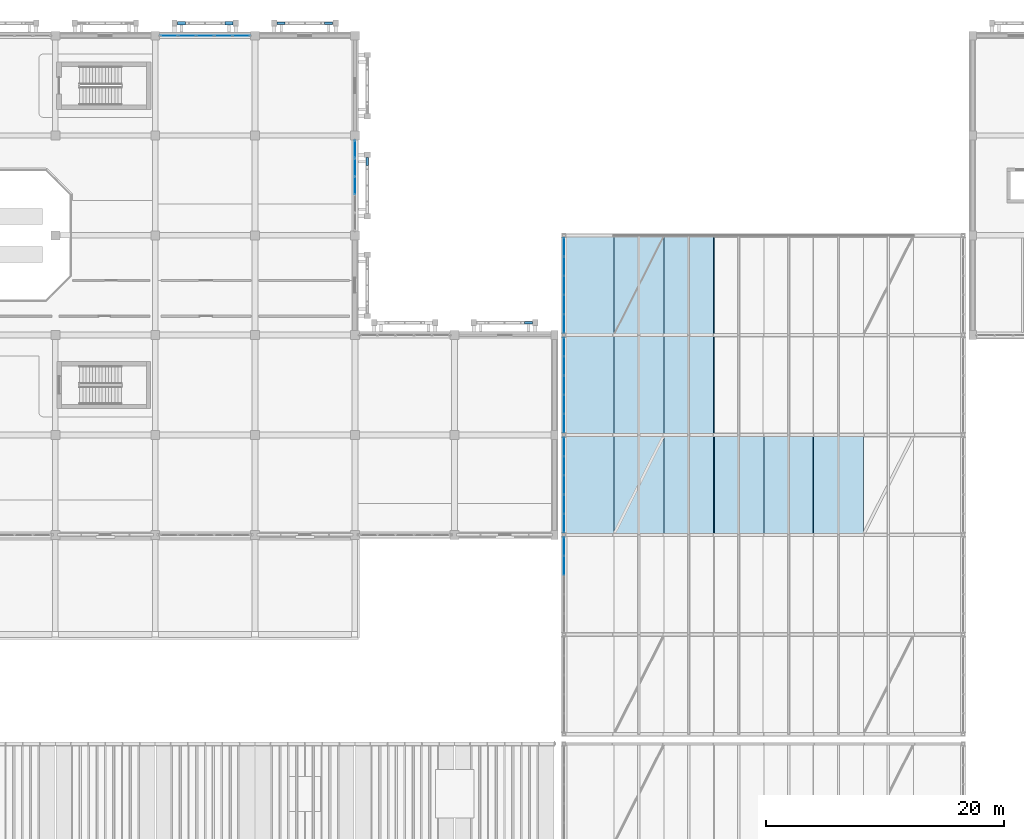
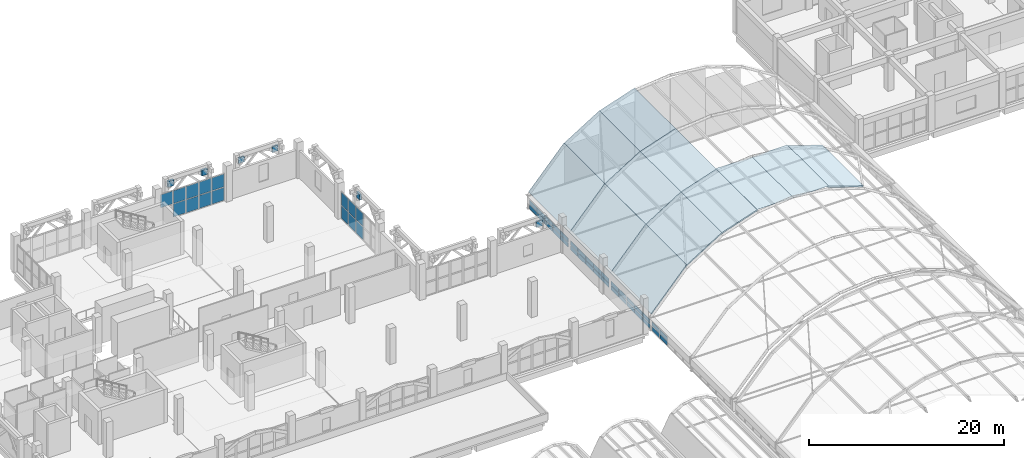
# One storey, part 93 of 114: 57 plates, 10 slabs, 6 elements without a shape of their own.
"""IFC4 building model written with IfcOpenShell, lengths in metres."""

from ifc_helpers import new_model, si_unit, direction, frame, origin, origin_2d, place, context, subcontext, project, spatial, polyline, rectangle, outline, extrude, material, layer, layer_set, type_object, element, aggregate, save


model = new_model("IFC4")

# Units and contexts
model_context = context("Model", 3, precision=1e-05, world=origin(), true_north=direction((0.0, 1.0)))
body_context = subcontext(model_context, "Body", "Model", "MODEL_VIEW")
ifc_project = project(units=[si_unit("LENGTHUNIT", "METRE"), si_unit("AREAUNIT", "SQUARE_METRE"), si_unit("VOLUMEUNIT", "CUBIC_METRE"), si_unit("PLANEANGLEUNIT", "RADIAN"), si_unit("MASSUNIT", "GRAM", prefix="KILO")], contexts=[model_context])

# Site, building, storey
site_placement = place(None, origin())
site = spatial("IfcSite", under=ifc_project, at=site_placement, CompositionType="ELEMENT")
building_placement = place(site_placement, origin())
building = spatial("IfcBuilding", under=site, at=building_placement, Name="Xazarin Passage Department Store", CompositionType="ELEMENT")
storey_placement = place(building_placement, frame((0.0, 0.0, 14.39990234375)))
storey = spatial("IfcBuildingStorey", under=building, at=storey_placement, Name="L03", CompositionType="ELEMENT", Elevation=14.39990234375)

# Curtain wall, plates
ifc_material_1 = material(Name="Bronze anodised aluminium", Category="aluminium")
ifc_layer_1 = layer(ifc_material_1, 0.159912109375)
ifc_layer_set_1 = layer_set([ifc_layer_1], Name="Bronze anodised aluminium")
curtain_wall_type_1 = type_object("IfcCurtainWallType", Name="ARC-CW-ARC1", PredefinedType="NOTDEFINED", material=ifc_layer_set_1)
curtain_wall_1_placement = place(storey_placement, origin())
curtain_wall_1 = element("IfcCurtainWall", 1, at=curtain_wall_1_placement, inside=storey, type_object=curtain_wall_type_1, Name="L03 V2N Galleria Clerestory Curtain Wall 2W", PredefinedType="NOTDEFINED")
ifc_material_2 = material(Name="Low-E laminated safety glass", Category="glass")
ifc_layer_2 = layer(ifc_material_2, 0.028076171875)
ifc_layer_set_2 = layer_set([ifc_layer_2], Name="Low-E laminated safety glass")
plate_type_1 = type_object("IfcPlateType", Name="ARC-CWP-GLZ28", PredefinedType="CURTAIN_PANEL", material=ifc_layer_set_2)
plate_1_placement = place(storey_placement, frame((68.0, 65.416015625, 0.065185546875), z_axis=(0.0, 0.0, 1.0), x_axis=(0.0, 1.0, 0.0)))
plate_1 = element("IfcPlate", 2, at=plate_1_placement, type_object=plate_type_1, Name="CW3 panel 4.1", PredefinedType="CURTAIN_PANEL", context=body_context, shape_type="SweptSolid", body=[
    extrude(rectangle(XDim=1.551025390625, YDim=0.028076171875, at=origin_2d()), origin(), (0.0, 0.0, 1.0), 0.5283203125),
])
plate_2_placement = place(storey_placement, frame((68.0, 65.416015625, 0.658447265625), z_axis=(0.0, 0.0, 1.0), x_axis=(0.0, 1.0, 0.0)))
plate_2 = element("IfcPlate", 3, at=plate_2_placement, type_object=plate_type_1, Name="CW3 panel 4.2", PredefinedType="CURTAIN_PANEL", context=body_context, shape_type="SweptSolid", body=[
    extrude(rectangle(XDim=1.551025390625, YDim=0.028076171875, at=origin_2d()), origin(), (0.0, 0.0, 1.0), 0.5283203125),
])
plate_3_placement = place(storey_placement, frame((68.0, 67.015869140625, 0.065185546875), z_axis=(0.0, 0.0, 1.0), x_axis=(0.0, 1.0, 0.0)))
plate_3 = element("IfcPlate", 4, at=plate_3_placement, type_object=plate_type_1, Name="CW3 panel 5.1", PredefinedType="CURTAIN_PANEL", context=body_context, shape_type="SweptSolid", body=[
    extrude(rectangle(XDim=1.5185546875, YDim=0.028076171875, at=origin_2d()), origin(), (0.0, 0.0, 1.0), 0.5283203125),
])
plate_4_placement = place(storey_placement, frame((68.0, 67.015869140625, 0.658447265625), z_axis=(0.0, 0.0, 1.0), x_axis=(0.0, 1.0, 0.0)))
plate_4 = element("IfcPlate", 5, at=plate_4_placement, type_object=plate_type_1, Name="CW3 panel 5.2", PredefinedType="CURTAIN_PANEL", context=body_context, shape_type="SweptSolid", body=[
    extrude(rectangle(XDim=1.5185546875, YDim=0.028076171875, at=origin_2d()), origin(), (0.0, 0.0, 1.0), 0.5283203125),
])
aggregate(curtain_wall_1, [plate_1, plate_2, plate_3, plate_4])

curtain_wall_2_placement = place(storey_placement, origin())
curtain_wall_2 = element("IfcCurtainWall", 6, at=curtain_wall_2_placement, inside=storey, type_object=curtain_wall_type_1, Name="L03 V2N Galleria Clerestory Curtain Wall 3W", PredefinedType="NOTDEFINED")
plate_5_placement = place(storey_placement, frame((68.0, 68.984130859375, 0.065185546875), z_axis=(0.0, 0.0, 1.0), x_axis=(0.0, 1.0, 0.0)))
plate_5 = element("IfcPlate", 7, at=plate_5_placement, type_object=plate_type_1, Name="CW3 panel 1.1", PredefinedType="CURTAIN_PANEL", context=body_context, shape_type="SweptSolid", body=[
    extrude(rectangle(XDim=1.5185546875, YDim=0.028076171875, at=origin_2d()), origin(), (0.0, 0.0, 1.0), 0.5283203125),
])
plate_6_placement = place(storey_placement, frame((68.0, 68.984130859375, 0.658447265625), z_axis=(0.0, 0.0, 1.0), x_axis=(0.0, 1.0, 0.0)))
plate_6 = element("IfcPlate", 8, at=plate_6_placement, type_object=plate_type_1, Name="CW3 panel 1.2", PredefinedType="CURTAIN_PANEL", context=body_context, shape_type="SweptSolid", body=[
    extrude(rectangle(XDim=1.5185546875, YDim=0.028076171875, at=origin_2d()), origin(), (0.0, 0.0, 1.0), 0.5283203125),
])
plate_7_placement = place(storey_placement, frame((68.0, 70.583984375, 0.065185546875), z_axis=(0.0, 0.0, 1.0), x_axis=(0.0, 1.0, 0.0)))
plate_7 = element("IfcPlate", 9, at=plate_7_placement, type_object=plate_type_1, Name="CW3 panel 2.1", PredefinedType="CURTAIN_PANEL", context=body_context, shape_type="SweptSolid", body=[
    extrude(rectangle(XDim=1.551025390625, YDim=0.028076171875, at=origin_2d()), origin(), (0.0, 0.0, 1.0), 0.5283203125),
])
plate_8_placement = place(storey_placement, frame((68.0, 70.583984375, 0.658447265625), z_axis=(0.0, 0.0, 1.0), x_axis=(0.0, 1.0, 0.0)))
plate_8 = element("IfcPlate", 10, at=plate_8_placement, type_object=plate_type_1, Name="CW3 panel 2.2", PredefinedType="CURTAIN_PANEL", context=body_context, shape_type="SweptSolid", body=[
    extrude(rectangle(XDim=1.551025390625, YDim=0.028076171875, at=origin_2d()), origin(), (0.0, 0.0, 1.0), 0.5283203125),
])
plate_9_placement = place(storey_placement, frame((68.0, 72.199951171875, 0.065185546875), z_axis=(0.0, 0.0, 1.0), x_axis=(0.0, 1.0, 0.0)))
plate_9 = element("IfcPlate", 11, at=plate_9_placement, type_object=plate_type_1, Name="CW3 panel 3.1", PredefinedType="CURTAIN_PANEL", context=body_context, shape_type="SweptSolid", body=[
    extrude(rectangle(XDim=1.551025390625, YDim=0.028076171875, at=origin_2d()), origin(), (0.0, 0.0, 1.0), 0.5283203125),
])
plate_10_placement = place(storey_placement, frame((68.0, 72.199951171875, 0.658447265625), z_axis=(0.0, 0.0, 1.0), x_axis=(0.0, 1.0, 0.0)))
plate_10 = element("IfcPlate", 12, at=plate_10_placement, type_object=plate_type_1, Name="CW3 panel 3.2", PredefinedType="CURTAIN_PANEL", context=body_context, shape_type="SweptSolid", body=[
    extrude(rectangle(XDim=1.551025390625, YDim=0.028076171875, at=origin_2d()), origin(), (0.0, 0.0, 1.0), 0.5283203125),
])
plate_11_placement = place(storey_placement, frame((68.0, 73.81591796875, 0.065185546875), z_axis=(0.0, 0.0, 1.0), x_axis=(0.0, 1.0, 0.0)))
plate_11 = element("IfcPlate", 13, at=plate_11_placement, type_object=plate_type_1, Name="CW3 panel 4.1", PredefinedType="CURTAIN_PANEL", context=body_context, shape_type="SweptSolid", body=[
    extrude(rectangle(XDim=1.551025390625, YDim=0.028076171875, at=origin_2d()), origin(), (0.0, 0.0, 1.0), 0.5283203125),
])
plate_12_placement = place(storey_placement, frame((68.0, 73.81591796875, 0.658447265625), z_axis=(0.0, 0.0, 1.0), x_axis=(0.0, 1.0, 0.0)))
plate_12 = element("IfcPlate", 14, at=plate_12_placement, type_object=plate_type_1, Name="CW3 panel 4.2", PredefinedType="CURTAIN_PANEL", context=body_context, shape_type="SweptSolid", body=[
    extrude(rectangle(XDim=1.551025390625, YDim=0.028076171875, at=origin_2d()), origin(), (0.0, 0.0, 1.0), 0.5283203125),
])
plate_13_placement = place(storey_placement, frame((68.0, 75.415771484375, 0.065185546875), z_axis=(0.0, 0.0, 1.0), x_axis=(0.0, 1.0, 0.0)))
plate_13 = element("IfcPlate", 15, at=plate_13_placement, type_object=plate_type_1, Name="CW3 panel 5.1", PredefinedType="CURTAIN_PANEL", context=body_context, shape_type="SweptSolid", body=[
    extrude(rectangle(XDim=1.5185546875, YDim=0.028076171875, at=origin_2d()), origin(), (0.0, 0.0, 1.0), 0.5283203125),
])
plate_14_placement = place(storey_placement, frame((68.0, 75.415771484375, 0.658447265625), z_axis=(0.0, 0.0, 1.0), x_axis=(0.0, 1.0, 0.0)))
plate_14 = element("IfcPlate", 16, at=plate_14_placement, type_object=plate_type_1, Name="CW3 panel 5.2", PredefinedType="CURTAIN_PANEL", context=body_context, shape_type="SweptSolid", body=[
    extrude(rectangle(XDim=1.5185546875, YDim=0.028076171875, at=origin_2d()), origin(), (0.0, 0.0, 1.0), 0.5283203125),
])
aggregate(curtain_wall_2, [plate_5, plate_6, plate_7, plate_8, plate_9, plate_10, plate_11, plate_12, plate_13, plate_14])

curtain_wall_3_placement = place(storey_placement, origin())
curtain_wall_3 = element("IfcCurtainWall", 17, at=curtain_wall_3_placement, inside=storey, type_object=curtain_wall_type_1, Name="L03 V2N Galleria Clerestory Curtain Wall 4W", PredefinedType="NOTDEFINED")
plate_15_placement = place(storey_placement, frame((68.0, 77.38427734375, 0.065185546875), z_axis=(0.0, 0.0, 1.0), x_axis=(0.0, 1.0, 0.0)))
plate_15 = element("IfcPlate", 18, at=plate_15_placement, type_object=plate_type_1, Name="CW3 panel 1.1", PredefinedType="CURTAIN_PANEL", context=body_context, shape_type="SweptSolid", body=[
    extrude(rectangle(XDim=1.5185546875, YDim=0.028076171875, at=origin_2d()), origin(), (0.0, 0.0, 1.0), 0.5283203125),
])
plate_16_placement = place(storey_placement, frame((68.0, 77.38427734375, 0.658447265625), z_axis=(0.0, 0.0, 1.0), x_axis=(0.0, 1.0, 0.0)))
plate_16 = element("IfcPlate", 19, at=plate_16_placement, type_object=plate_type_1, Name="CW3 panel 1.2", PredefinedType="CURTAIN_PANEL", context=body_context, shape_type="SweptSolid", body=[
    extrude(rectangle(XDim=1.5185546875, YDim=0.028076171875, at=origin_2d()), origin(), (0.0, 0.0, 1.0), 0.5283203125),
])
plate_17_placement = place(storey_placement, frame((68.0, 78.98388671875, 0.065185546875), z_axis=(0.0, 0.0, 1.0), x_axis=(0.0, 1.0, 0.0)))
plate_17 = element("IfcPlate", 20, at=plate_17_placement, type_object=plate_type_1, Name="CW3 panel 2.1", PredefinedType="CURTAIN_PANEL", context=body_context, shape_type="SweptSolid", body=[
    extrude(rectangle(XDim=1.551025390625, YDim=0.028076171875, at=origin_2d()), origin(), (0.0, 0.0, 1.0), 0.5283203125),
])
plate_18_placement = place(storey_placement, frame((68.0, 78.98388671875, 0.658447265625), z_axis=(0.0, 0.0, 1.0), x_axis=(0.0, 1.0, 0.0)))
plate_18 = element("IfcPlate", 21, at=plate_18_placement, type_object=plate_type_1, Name="CW3 panel 2.2", PredefinedType="CURTAIN_PANEL", context=body_context, shape_type="SweptSolid", body=[
    extrude(rectangle(XDim=1.551025390625, YDim=0.028076171875, at=origin_2d()), origin(), (0.0, 0.0, 1.0), 0.5283203125),
])
plate_19_placement = place(storey_placement, frame((68.0, 80.60009765625, 0.065185546875), z_axis=(0.0, 0.0, 1.0), x_axis=(0.0, 1.0, 0.0)))
plate_19 = element("IfcPlate", 22, at=plate_19_placement, type_object=plate_type_1, Name="CW3 panel 3.1", PredefinedType="CURTAIN_PANEL", context=body_context, shape_type="SweptSolid", body=[
    extrude(rectangle(XDim=1.551025390625, YDim=0.028076171875, at=origin_2d()), origin(), (0.0, 0.0, 1.0), 0.5283203125),
])
plate_20_placement = place(storey_placement, frame((68.0, 80.60009765625, 0.658447265625), z_axis=(0.0, 0.0, 1.0), x_axis=(0.0, 1.0, 0.0)))
plate_20 = element("IfcPlate", 23, at=plate_20_placement, type_object=plate_type_1, Name="CW3 panel 3.2", PredefinedType="CURTAIN_PANEL", context=body_context, shape_type="SweptSolid", body=[
    extrude(rectangle(XDim=1.551025390625, YDim=0.028076171875, at=origin_2d()), origin(), (0.0, 0.0, 1.0), 0.5283203125),
])
plate_21_placement = place(storey_placement, frame((68.0, 82.216064453125, 0.065185546875), z_axis=(0.0, 0.0, 1.0), x_axis=(0.0, 1.0, 0.0)))
plate_21 = element("IfcPlate", 24, at=plate_21_placement, type_object=plate_type_1, Name="CW3 panel 4.1", PredefinedType="CURTAIN_PANEL", context=body_context, shape_type="SweptSolid", body=[
    extrude(rectangle(XDim=1.551025390625, YDim=0.028076171875, at=origin_2d()), origin(), (0.0, 0.0, 1.0), 0.5283203125),
])
plate_22_placement = place(storey_placement, frame((68.0, 82.216064453125, 0.658447265625), z_axis=(0.0, 0.0, 1.0), x_axis=(0.0, 1.0, 0.0)))
plate_22 = element("IfcPlate", 25, at=plate_22_placement, type_object=plate_type_1, Name="CW3 panel 4.2", PredefinedType="CURTAIN_PANEL", context=body_context, shape_type="SweptSolid", body=[
    extrude(rectangle(XDim=1.551025390625, YDim=0.028076171875, at=origin_2d()), origin(), (0.0, 0.0, 1.0), 0.5283203125),
])
plate_23_placement = place(storey_placement, frame((68.0, 83.815673828125, 0.065185546875), z_axis=(0.0, 0.0, 1.0), x_axis=(0.0, 1.0, 0.0)))
plate_23 = element("IfcPlate", 26, at=plate_23_placement, type_object=plate_type_1, Name="CW3 panel 5.1", PredefinedType="CURTAIN_PANEL", context=body_context, shape_type="SweptSolid", body=[
    extrude(rectangle(XDim=1.5185546875, YDim=0.028076171875, at=origin_2d()), origin(), (0.0, 0.0, 1.0), 0.5283203125),
])
plate_24_placement = place(storey_placement, frame((68.0, 83.815673828125, 0.658447265625), z_axis=(0.0, 0.0, 1.0), x_axis=(0.0, 1.0, 0.0)))
plate_24 = element("IfcPlate", 27, at=plate_24_placement, type_object=plate_type_1, Name="CW3 panel 5.2", PredefinedType="CURTAIN_PANEL", context=body_context, shape_type="SweptSolid", body=[
    extrude(rectangle(XDim=1.5185546875, YDim=0.028076171875, at=origin_2d()), origin(), (0.0, 0.0, 1.0), 0.5283203125),
])
aggregate(curtain_wall_3, [plate_15, plate_16, plate_17, plate_18, plate_19, plate_20, plate_21, plate_22, plate_23, plate_24])

curtain_wall_4_placement = place(storey_placement, origin())
curtain_wall_4 = element("IfcCurtainWall", 28, at=curtain_wall_4_placement, inside=storey, type_object=curtain_wall_type_1, Name="L03 V2N Galleria Clerestory Curtain Wall 5W", PredefinedType="NOTDEFINED")
plate_25_placement = place(storey_placement, frame((68.0, 85.7841796875, 0.065185546875), z_axis=(0.0, 0.0, 1.0), x_axis=(0.0, 1.0, 0.0)))
plate_25 = element("IfcPlate", 29, at=plate_25_placement, type_object=plate_type_1, Name="CW3 panel 1.1", PredefinedType="CURTAIN_PANEL", context=body_context, shape_type="SweptSolid", body=[
    extrude(rectangle(XDim=1.5185546875, YDim=0.028076171875, at=origin_2d()), origin(), (0.0, 0.0, 1.0), 0.5283203125),
])
plate_26_placement = place(storey_placement, frame((68.0, 85.7841796875, 0.658447265625), z_axis=(0.0, 0.0, 1.0), x_axis=(0.0, 1.0, 0.0)))
plate_26 = element("IfcPlate", 30, at=plate_26_placement, type_object=plate_type_1, Name="CW3 panel 1.2", PredefinedType="CURTAIN_PANEL", context=body_context, shape_type="SweptSolid", body=[
    extrude(rectangle(XDim=1.5185546875, YDim=0.028076171875, at=origin_2d()), origin(), (0.0, 0.0, 1.0), 0.5283203125),
])
plate_27_placement = place(storey_placement, frame((68.0, 87.384033203125, 0.065185546875), z_axis=(0.0, 0.0, 1.0), x_axis=(0.0, 1.0, 0.0)))
plate_27 = element("IfcPlate", 31, at=plate_27_placement, type_object=plate_type_1, Name="CW3 panel 2.1", PredefinedType="CURTAIN_PANEL", context=body_context, shape_type="SweptSolid", body=[
    extrude(rectangle(XDim=1.551025390625, YDim=0.028076171875, at=origin_2d()), origin(), (0.0, 0.0, 1.0), 0.5283203125),
])
plate_28_placement = place(storey_placement, frame((68.0, 87.384033203125, 0.658447265625), z_axis=(0.0, 0.0, 1.0), x_axis=(0.0, 1.0, 0.0)))
plate_28 = element("IfcPlate", 32, at=plate_28_placement, type_object=plate_type_1, Name="CW3 panel 2.2", PredefinedType="CURTAIN_PANEL", context=body_context, shape_type="SweptSolid", body=[
    extrude(rectangle(XDim=1.551025390625, YDim=0.028076171875, at=origin_2d()), origin(), (0.0, 0.0, 1.0), 0.5283203125),
])
plate_29_placement = place(storey_placement, frame((68.0, 89.0, 0.065185546875), z_axis=(0.0, 0.0, 1.0), x_axis=(0.0, 1.0, 0.0)))
plate_29 = element("IfcPlate", 33, at=plate_29_placement, type_object=plate_type_1, Name="CW3 panel 3.1", PredefinedType="CURTAIN_PANEL", context=body_context, shape_type="SweptSolid", body=[
    extrude(rectangle(XDim=1.551025390625, YDim=0.028076171875, at=origin_2d()), origin(), (0.0, 0.0, 1.0), 0.5283203125),
])
plate_30_placement = place(storey_placement, frame((68.0, 89.0, 0.658447265625), z_axis=(0.0, 0.0, 1.0), x_axis=(0.0, 1.0, 0.0)))
plate_30 = element("IfcPlate", 34, at=plate_30_placement, type_object=plate_type_1, Name="CW3 panel 3.2", PredefinedType="CURTAIN_PANEL", context=body_context, shape_type="SweptSolid", body=[
    extrude(rectangle(XDim=1.551025390625, YDim=0.028076171875, at=origin_2d()), origin(), (0.0, 0.0, 1.0), 0.5283203125),
])
plate_31_placement = place(storey_placement, frame((68.0, 90.615966796875, 0.065185546875), z_axis=(0.0, 0.0, 1.0), x_axis=(0.0, 1.0, 0.0)))
plate_31 = element("IfcPlate", 35, at=plate_31_placement, type_object=plate_type_1, Name="CW3 panel 4.1", PredefinedType="CURTAIN_PANEL", context=body_context, shape_type="SweptSolid", body=[
    extrude(rectangle(XDim=1.551025390625, YDim=0.028076171875, at=origin_2d()), origin(), (0.0, 0.0, 1.0), 0.5283203125),
])
plate_32_placement = place(storey_placement, frame((68.0, 90.615966796875, 0.658447265625), z_axis=(0.0, 0.0, 1.0), x_axis=(0.0, 1.0, 0.0)))
plate_32 = element("IfcPlate", 36, at=plate_32_placement, type_object=plate_type_1, Name="CW3 panel 4.2", PredefinedType="CURTAIN_PANEL", context=body_context, shape_type="SweptSolid", body=[
    extrude(rectangle(XDim=1.551025390625, YDim=0.028076171875, at=origin_2d()), origin(), (0.0, 0.0, 1.0), 0.5283203125),
])
plate_33_placement = place(storey_placement, frame((68.0, 92.2158203125, 0.065185546875), z_axis=(0.0, 0.0, 1.0), x_axis=(0.0, 1.0, 0.0)))
plate_33 = element("IfcPlate", 37, at=plate_33_placement, type_object=plate_type_1, Name="CW3 panel 5.1", PredefinedType="CURTAIN_PANEL", context=body_context, shape_type="SweptSolid", body=[
    extrude(rectangle(XDim=1.5185546875, YDim=0.028076171875, at=origin_2d()), origin(), (0.0, 0.0, 1.0), 0.5283203125),
])
plate_34_placement = place(storey_placement, frame((68.0, 92.2158203125, 0.658447265625), z_axis=(0.0, 0.0, 1.0), x_axis=(0.0, 1.0, 0.0)))
plate_34 = element("IfcPlate", 38, at=plate_34_placement, type_object=plate_type_1, Name="CW3 panel 5.2", PredefinedType="CURTAIN_PANEL", context=body_context, shape_type="SweptSolid", body=[
    extrude(rectangle(XDim=1.5185546875, YDim=0.028076171875, at=origin_2d()), origin(), (0.0, 0.0, 1.0), 0.5283203125),
])
aggregate(curtain_wall_4, [plate_25, plate_26, plate_27, plate_28, plate_29, plate_30, plate_31, plate_32, plate_33, plate_34])

ifc_layer_3 = layer(ifc_material_1, 0.199951171875)
ifc_layer_set_3 = layer_set([ifc_layer_3], Name="Bronze anodised aluminium")
curtain_wall_type_2 = type_object("IfcCurtainWallType", Name="ARC-CW-VIT2", PredefinedType="NOTDEFINED", material=ifc_layer_set_3)
curtain_wall_5_placement = place(storey_placement, origin())
curtain_wall_5 = element("IfcCurtainWall", 39, at=curtain_wall_5_placement, inside=storey, type_object=curtain_wall_type_2, Name="L03 V1 Curtain Wall 062", PredefinedType="NOTDEFINED")
ifc_layer_4 = layer(ifc_material_2, 0.031982421875)
ifc_layer_set_4 = layer_set([ifc_layer_4], Name="Low-E laminated safety glass")
plate_type_2 = type_object("IfcPlateType", Name="ARC-CWP-GLZ32", PredefinedType="CURTAIN_PANEL", material=ifc_layer_set_4)
plate_35_placement = place(storey_placement, frame((34.7587890625, 110.0, 1.7626953125), z_axis=(0.0, 0.0, 1.0), x_axis=(1.0, 0.0, 0.0)))
plate_35 = element("IfcPlate", 40, at=plate_35_placement, type_object=plate_type_2, Name="CW2 panel 1.2", PredefinedType="CURTAIN_PANEL", context=body_context, shape_type="SweptSolid", body=[
    extrude(rectangle(XDim=1.41748046875, YDim=0.031982421875, at=origin_2d()), origin(), (0.0, 0.0, 1.0), 1.612548828125),
])
plate_36_placement = place(storey_placement, frame((36.27001953125, 110.0, 0.0751953125), z_axis=(0.0, 0.0, 1.0), x_axis=(1.0, 0.0, 0.0)))
plate_36 = element("IfcPlate", 41, at=plate_36_placement, type_object=plate_type_2, Name="CW2 panel 2.1", PredefinedType="CURTAIN_PANEL", context=body_context, shape_type="SweptSolid", body=[
    extrude(rectangle(XDim=1.455078125, YDim=0.031982421875, at=origin_2d()), origin(), (0.0, 0.0, 1.0), 1.612548828125),
])
plate_37_placement = place(storey_placement, frame((36.27001953125, 110.0, 1.7626953125), z_axis=(0.0, 0.0, 1.0), x_axis=(1.0, 0.0, 0.0)))
plate_37 = element("IfcPlate", 42, at=plate_37_placement, type_object=plate_type_2, Name="CW2 panel 2.2", PredefinedType="CURTAIN_PANEL", context=body_context, shape_type="SweptSolid", body=[
    extrude(rectangle(XDim=1.455078125, YDim=0.031982421875, at=origin_2d()), origin(), (0.0, 0.0, 1.0), 1.612548828125),
])
plate_38_placement = place(storey_placement, frame((37.800048828125, 110.0, 0.0751953125), z_axis=(0.0, 0.0, 1.0), x_axis=(1.0, 0.0, 0.0)))
plate_38 = element("IfcPlate", 43, at=plate_38_placement, type_object=plate_type_2, Name="CW2 panel 3.1", PredefinedType="CURTAIN_PANEL", context=body_context, shape_type="SweptSolid", body=[
    extrude(rectangle(XDim=1.455078125, YDim=0.031982421875, at=origin_2d()), origin(), (0.0, 0.0, 1.0), 1.612548828125),
])
plate_39_placement = place(storey_placement, frame((37.800048828125, 110.0, 1.7626953125), z_axis=(0.0, 0.0, 1.0), x_axis=(1.0, 0.0, 0.0)))
plate_39 = element("IfcPlate", 44, at=plate_39_placement, type_object=plate_type_2, Name="CW2 panel 3.2", PredefinedType="CURTAIN_PANEL", context=body_context, shape_type="SweptSolid", body=[
    extrude(rectangle(XDim=1.455078125, YDim=0.031982421875, at=origin_2d()), origin(), (0.0, 0.0, 1.0), 1.612548828125),
])
plate_40_placement = place(storey_placement, frame((39.330078125, 110.0, 0.0751953125), z_axis=(0.0, 0.0, 1.0), x_axis=(1.0, 0.0, 0.0)))
plate_40 = element("IfcPlate", 45, at=plate_40_placement, type_object=plate_type_2, Name="CW2 panel 4.1", PredefinedType="CURTAIN_PANEL", context=body_context, shape_type="SweptSolid", body=[
    extrude(rectangle(XDim=1.455078125, YDim=0.031982421875, at=origin_2d()), origin(), (0.0, 0.0, 1.0), 1.612548828125),
])
plate_41_placement = place(storey_placement, frame((39.330078125, 110.0, 1.7626953125), z_axis=(0.0, 0.0, 1.0), x_axis=(1.0, 0.0, 0.0)))
plate_41 = element("IfcPlate", 46, at=plate_41_placement, type_object=plate_type_2, Name="CW2 panel 4.2", PredefinedType="CURTAIN_PANEL", context=body_context, shape_type="SweptSolid", body=[
    extrude(rectangle(XDim=1.455078125, YDim=0.031982421875, at=origin_2d()), origin(), (0.0, 0.0, 1.0), 1.612548828125),
])
plate_42_placement = place(storey_placement, frame((40.84130859375, 110.0, 0.0751953125), z_axis=(0.0, 0.0, 1.0), x_axis=(1.0, 0.0, 0.0)))
plate_42 = element("IfcPlate", 47, at=plate_42_placement, type_object=plate_type_2, Name="CW2 panel 5.1", PredefinedType="CURTAIN_PANEL", context=body_context, shape_type="SweptSolid", body=[
    extrude(rectangle(XDim=1.41748046875, YDim=0.031982421875, at=origin_2d()), origin(), (0.0, 0.0, 1.0), 1.612548828125),
])
plate_43_placement = place(storey_placement, frame((40.84130859375, 110.0, 1.7626953125), z_axis=(0.0, 0.0, 1.0), x_axis=(1.0, 0.0, 0.0)))
plate_43 = element("IfcPlate", 48, at=plate_43_placement, type_object=plate_type_2, Name="CW2 panel 5.2", PredefinedType="CURTAIN_PANEL", context=body_context, shape_type="SweptSolid", body=[
    extrude(rectangle(XDim=1.41748046875, YDim=0.031982421875, at=origin_2d()), origin(), (0.0, 0.0, 1.0), 1.612548828125),
])
aggregate(curtain_wall_5, [plate_35, plate_36, plate_37, plate_38, plate_39, plate_40, plate_41, plate_42, plate_43])

curtain_wall_6_placement = place(storey_placement, origin())
curtain_wall_6 = element("IfcCurtainWall", 49, at=curtain_wall_6_placement, inside=storey, type_object=curtain_wall_type_2, Name="L03 V1 Curtain Wall 066", PredefinedType="NOTDEFINED")
plate_44_placement = place(storey_placement, frame((50.39990234375, 97.39990234375, 0.0751953125), z_axis=(0.0, 0.0, 1.0), x_axis=(0.0, 1.0, 0.0)))
plate_44 = element("IfcPlate", 50, at=plate_44_placement, type_object=plate_type_2, Name="CW2 panel 3.1", PredefinedType="CURTAIN_PANEL", context=body_context, shape_type="SweptSolid", body=[
    extrude(rectangle(XDim=1.455078125, YDim=0.031982421875, at=origin_2d()), origin(), (0.0, 0.0, 1.0), 1.612548828125),
])
plate_45_placement = place(storey_placement, frame((50.39990234375, 97.39990234375, 1.7626953125), z_axis=(0.0, 0.0, 1.0), x_axis=(0.0, 1.0, 0.0)))
plate_45 = element("IfcPlate", 51, at=plate_45_placement, type_object=plate_type_2, Name="CW2 panel 3.2", PredefinedType="CURTAIN_PANEL", context=body_context, shape_type="SweptSolid", body=[
    extrude(rectangle(XDim=1.455078125, YDim=0.031982421875, at=origin_2d()), origin(), (0.0, 0.0, 1.0), 1.612548828125),
])
plate_46_placement = place(storey_placement, frame((50.39990234375, 98.929931640625, 0.0751953125), z_axis=(0.0, 0.0, 1.0), x_axis=(0.0, 1.0, 0.0)))
plate_46 = element("IfcPlate", 52, at=plate_46_placement, type_object=plate_type_2, Name="CW2 panel 4.1", PredefinedType="CURTAIN_PANEL", context=body_context, shape_type="SweptSolid", body=[
    extrude(rectangle(XDim=1.455078125, YDim=0.031982421875, at=origin_2d()), origin(), (0.0, 0.0, 1.0), 1.612548828125),
])
plate_47_placement = place(storey_placement, frame((50.39990234375, 98.929931640625, 1.7626953125), z_axis=(0.0, 0.0, 1.0), x_axis=(0.0, 1.0, 0.0)))
plate_47 = element("IfcPlate", 53, at=plate_47_placement, type_object=plate_type_2, Name="CW2 panel 4.2", PredefinedType="CURTAIN_PANEL", context=body_context, shape_type="SweptSolid", body=[
    extrude(rectangle(XDim=1.455078125, YDim=0.031982421875, at=origin_2d()), origin(), (0.0, 0.0, 1.0), 1.612548828125),
])
plate_48_placement = place(storey_placement, frame((50.39990234375, 100.441162109375, 0.0751953125), z_axis=(0.0, 0.0, 1.0), x_axis=(0.0, 1.0, 0.0)))
plate_48 = element("IfcPlate", 54, at=plate_48_placement, type_object=plate_type_2, Name="CW2 panel 5.1", PredefinedType="CURTAIN_PANEL", context=body_context, shape_type="SweptSolid", body=[
    extrude(rectangle(XDim=1.41748046875, YDim=0.031982421875, at=origin_2d()), origin(), (0.0, 0.0, 1.0), 1.612548828125),
])
plate_49_placement = place(storey_placement, frame((50.39990234375, 100.441162109375, 1.7626953125), z_axis=(0.0, 0.0, 1.0), x_axis=(0.0, 1.0, 0.0)))
plate_49 = element("IfcPlate", 55, at=plate_49_placement, type_object=plate_type_2, Name="CW2 panel 5.2", PredefinedType="CURTAIN_PANEL", context=body_context, shape_type="SweptSolid", body=[
    extrude(rectangle(XDim=1.41748046875, YDim=0.031982421875, at=origin_2d()), origin(), (0.0, 0.0, 1.0), 1.612548828125),
])
aggregate(curtain_wall_6, [plate_44, plate_45, plate_46, plate_47, plate_48, plate_49])

# Plates
ifc_material_3 = material(Name="Precast concrete C40/50", Category="concrete")
ifc_layer_5 = layer(ifc_material_3, 0.179931640625)
ifc_layer_set_5 = layer_set([ifc_layer_5], Name="Precast concrete C40/50")
plate_type_3 = type_object("IfcPlateType", Name="ARC-PLT-SCR-11", PredefinedType="USERDEFINED", material=ifc_layer_set_5)
for number, where, z_axis, x_axis, name in (
    (56, (44.199951171875, 111.050048828125, 3.26025390625), (0.0, 0.0, 1.0), (1.0, 0.0, 0.0), "L03 V1 Arch Spandrel Tympanum 0051"),
    (57, (48.199951171875, 111.050048828125, 3.26025390625), (0.0, 0.0, 1.0), (1.0, 0.0, 0.0), "L03 V1 Arch Spandrel Tympanum 0052"),
    (58, (65.0, 85.85009765625, 3.26025390625), (0.0, 0.0, 1.0), (1.0, 0.0, 0.0), "L03 V1 Arch Spandrel Tympanum 0072"),
):
    element("IfcPlate", number, at=place(storey_placement, frame(where, z_axis=z_axis, x_axis=x_axis)), inside=storey, type_object=plate_type_3, Name=name, ObjectType="SCREEN PANEL", PredefinedType="USERDEFINED", context=body_context, shape_type="SweptSolid", body=[
        extrude(rectangle(XDim=0.679931640625, YDim=0.179931640625, at=origin_2d()), origin(), (0.0, 0.0, 1.0), 0.719970703125),
    ])
ifc_layer_6 = layer(ifc_material_3, 0.219970703125)
ifc_layer_set_6 = layer_set([ifc_layer_6], Name="Precast concrete C40/50")
plate_type_4 = type_object("IfcPlateType", Name="ARC-PLT-SCR-15", PredefinedType="USERDEFINED", material=ifc_layer_set_6)
plate_50_placement = place(storey_placement, frame((51.449951171875, 99.39990234375, 3.26025390625), z_axis=(0.0, 0.0, 1.0), x_axis=(0.0, 1.0, 0.0)))
element("IfcPlate", 59, at=plate_50_placement, inside=storey, type_object=plate_type_4, Name="L03 V1 Arch Spandrel Tympanum 0156", ObjectType="SCREEN PANEL", PredefinedType="USERDEFINED", context=body_context, shape_type="SweptSolid", body=[
    extrude(rectangle(XDim=0.679931640625, YDim=0.219970703125, at=origin_2d()), origin(), (0.0, 0.0, 1.0), 0.719970703125),
])
ifc_layer_7 = layer(ifc_material_3, 0.260009765625)
ifc_layer_set_7 = layer_set([ifc_layer_7], Name="Precast concrete C40/50")
plate_type_5 = type_object("IfcPlateType", Name="ARC-PLT-SCR-19", PredefinedType="USERDEFINED", material=ifc_layer_set_7)
for number, where, z_axis, x_axis, name in (
    (60, (35.800048828125, 111.050048828125, 3.26025390625), (0.0, 0.0, 1.0), (1.0, 0.0, 0.0), "L03 V1 Arch Spandrel Tympanum 0039"),
    (61, (39.800048828125, 111.050048828125, 3.26025390625), (0.0, 0.0, 1.0), (1.0, 0.0, 0.0), "L03 V1 Arch Spandrel Tympanum 0040"),
):
    element("IfcPlate", number, at=place(storey_placement, frame(where, z_axis=z_axis, x_axis=x_axis)), inside=storey, type_object=plate_type_5, Name=name, ObjectType="SCREEN PANEL", PredefinedType="USERDEFINED", context=body_context, shape_type="SweptSolid", body=[
        extrude(rectangle(XDim=0.679931640625, YDim=0.260009765625, at=origin_2d()), origin(), (0.0, 0.0, 1.0), 0.719970703125),
    ])
ifc_layer_8 = layer(ifc_material_2, 0.028076171875)
ifc_layer_set_8 = layer_set([ifc_layer_8], Name="Low-E laminated safety glass")
plate_type_6 = type_object("IfcPlateType", Name="ARC-PLT-VGLZ28", PredefinedType="SHEET", material=ifc_layer_set_8)
for number, where, z_axis, x_axis, name in (
    (62, (82.699951171875, 72.199951171875, 10.712890625), (0.0, 0.0, 1.0), (1.0, 0.0, 0.0), "V2N Crown Skylight Glazing Panel 3.4"),
    (63, (86.89990234375, 72.199951171875, 10.712890625), (0.0, 0.0, 1.0), (1.0, 0.0, 0.0), "V2N Crown Skylight Glazing Panel 3.5"),
):
    element("IfcPlate", number, at=place(storey_placement, frame(where, z_axis=z_axis, x_axis=x_axis)), inside=storey, type_object=plate_type_6, Name=name, PredefinedType="SHEET", context=body_context, shape_type="SweptSolid", body=[
        extrude(rectangle(XDim=4.280029296875, YDim=8.47998046875, at=origin_2d()), origin(), (0.0, 0.0, 1.0), 0.028076171875),
    ])

# Slabs
ifc_material_4 = material(Name="Concrete C40/50", Category="concrete")
ifc_layer_9 = layer(ifc_material_4, 0.239990234375)
ifc_layer_set_9 = layer_set([ifc_layer_9], Name="Concrete C40/50")
slab_type = type_object("IfcSlabType", Name="STR-SLB-SHL240", PredefinedType="ROOF", material=ifc_layer_set_9)
slab_1_placement = place(storey_placement, frame((68.0, 68.0, 2.044189453125), z_axis=(-0.744275931244, 0.0, 0.667872246893), x_axis=(0.667872246893, 0.0, 0.744275931244)))
element("IfcSlab", 64, at=slab_1_placement, inside=storey, type_object=slab_type, Name="V2N Vaulted Roof Deck Facet 3.1", PredefinedType="ROOF", context=body_context, shape_type="SweptSolid", body=[
    extrude(outline(polyline([(0.0, 0.0), (6.288554721970588, 0.0), (6.288554721970588, 8.39990234375), (0.0, 8.39990234375), (0.0, 0.0)])), origin(), (0.0, 0.0, -1.0), 0.159912109375),
])
slab_2_placement = place(storey_placement, frame((72.199951171875, 68.0, 6.6845703125), z_axis=(-0.529045295432, 0.0, 0.848593586696), x_axis=(0.848593586696, 0.0, 0.529045295432)))
element("IfcSlab", 65, at=slab_2_placement, inside=storey, type_object=slab_type, Name="V2N Vaulted Roof Deck Facet 3.2", PredefinedType="ROOF", context=body_context, shape_type="SweptSolid", body=[
    extrude(outline(polyline([(0.0, 0.0), (4.949308170272536, 0.0), (4.949308170272536, 8.39990234375), (0.0, 8.39990234375), (0.0, 0.0)])), origin(), (0.0, 0.0, -1.0), 0.159912109375),
])
slab_3_placement = place(storey_placement, frame((76.39990234375, 68.0, 9.283203125), z_axis=(-0.316938846257, 0.0, 0.948445975126), x_axis=(0.948445975126, 0.0, 0.316938846257)))
element("IfcSlab", 66, at=slab_3_placement, inside=storey, type_object=slab_type, Name="V2N Vaulted Roof Deck Facet 3.3", PredefinedType="ROOF", context=body_context, shape_type="SweptSolid", body=[
    extrude(outline(polyline([(0.0, 0.0), (4.4285024373057595, 0.0), (4.4285024373057595, 8.39990234375), (0.0, 8.39990234375), (0.0, 0.0)])), origin(), (0.0, 0.0, -1.0), 0.159912109375),
])
slab_4_placement = place(storey_placement, frame((89.0, 68.0, 10.686767578125), z_axis=(0.316955418934, 0.0, 0.948440436932), x_axis=(0.948440436932, 0.0, -0.316955418934)))
element("IfcSlab", 67, at=slab_4_placement, inside=storey, type_object=slab_type, Name="V2N Vaulted Roof Deck Facet 3.6", PredefinedType="ROOF", context=body_context, shape_type="SweptSolid", body=[
    extrude(outline(polyline([(0.0, 0.0), (4.428270883788645, 0.0), (4.428270883788645, 8.39990234375), (0.0, 8.39990234375), (0.0, 0.0)])), origin(), (0.0, 0.0, -1.0), 0.159912109375),
])
slab_5_placement = place(storey_placement, frame((68.0, 76.39990234375, 2.044189453125), z_axis=(-0.744275931244, 0.0, 0.667872246893), x_axis=(0.667872246893, 0.0, 0.744275931244)))
element("IfcSlab", 68, at=slab_5_placement, inside=storey, type_object=slab_type, Name="V2N Vaulted Roof Deck Facet 4.1", PredefinedType="ROOF", context=body_context, shape_type="SweptSolid", body=[
    extrude(outline(polyline([(0.0, 0.0), (6.288554721970588, 0.0), (6.288554721970588, 8.400146484375), (0.0, 8.400146484375), (0.0, 0.0)])), origin(), (0.0, 0.0, -1.0), 0.159912109375),
])
slab_6_placement = place(storey_placement, frame((72.199951171875, 76.39990234375, 6.6845703125), z_axis=(-0.529045295432, 0.0, 0.848593586696), x_axis=(0.848593586696, 0.0, 0.529045295432)))
element("IfcSlab", 69, at=slab_6_placement, inside=storey, type_object=slab_type, Name="V2N Vaulted Roof Deck Facet 4.2", PredefinedType="ROOF", context=body_context, shape_type="SweptSolid", body=[
    extrude(outline(polyline([(0.0, 0.0), (4.949308170272536, 0.0), (4.949308170272536, 8.400146484375), (0.0, 8.400146484375), (0.0, 0.0)])), origin(), (0.0, 0.0, -1.0), 0.159912109375),
])
slab_7_placement = place(storey_placement, frame((76.39990234375, 76.39990234375, 9.283203125), z_axis=(-0.316938846257, 0.0, 0.948445975126), x_axis=(0.948445975126, 0.0, 0.316938846257)))
element("IfcSlab", 70, at=slab_7_placement, inside=storey, type_object=slab_type, Name="V2N Vaulted Roof Deck Facet 4.3", PredefinedType="ROOF", context=body_context, shape_type="SweptSolid", body=[
    extrude(outline(polyline([(0.0, 0.0), (4.4285024373057595, 0.0), (4.4285024373057595, 8.400146484375), (0.0, 8.400146484375), (0.0, 0.0)])), origin(), (0.0, 0.0, -1.0), 0.159912109375),
])
slab_8_placement = place(storey_placement, frame((68.0, 84.800048828125, 2.044189453125), z_axis=(-0.744275931244, 0.0, 0.667872246893), x_axis=(0.667872246893, 0.0, 0.744275931244)))
element("IfcSlab", 71, at=slab_8_placement, inside=storey, type_object=slab_type, Name="V2N Vaulted Roof Deck Facet 5.1", PredefinedType="ROOF", context=body_context, shape_type="SweptSolid", body=[
    extrude(outline(polyline([(0.0, 0.0), (6.288554721970588, 0.0), (6.288554721970588, 8.39990234375), (0.0, 8.39990234375), (0.0, 0.0)])), origin(), (0.0, 0.0, -1.0), 0.159912109375),
])
slab_9_placement = place(storey_placement, frame((72.199951171875, 84.800048828125, 6.6845703125), z_axis=(-0.529045295432, 0.0, 0.848593586696), x_axis=(0.848593586696, 0.0, 0.529045295432)))
element("IfcSlab", 72, at=slab_9_placement, inside=storey, type_object=slab_type, Name="V2N Vaulted Roof Deck Facet 5.2", PredefinedType="ROOF", context=body_context, shape_type="SweptSolid", body=[
    extrude(outline(polyline([(0.0, 0.0), (4.949308170272536, 0.0), (4.949308170272536, 8.39990234375), (0.0, 8.39990234375), (0.0, 0.0)])), origin(), (0.0, 0.0, -1.0), 0.159912109375),
])
slab_10_placement = place(storey_placement, frame((76.39990234375, 84.800048828125, 9.283203125), z_axis=(-0.316938846257, 0.0, 0.948445975126), x_axis=(0.948445975126, 0.0, 0.316938846257)))
element("IfcSlab", 73, at=slab_10_placement, inside=storey, type_object=slab_type, Name="V2N Vaulted Roof Deck Facet 5.3", PredefinedType="ROOF", context=body_context, shape_type="SweptSolid", body=[
    extrude(outline(polyline([(0.0, 0.0), (4.4285024373057595, 0.0), (4.4285024373057595, 8.39990234375), (0.0, 8.39990234375), (0.0, 0.0)])), origin(), (0.0, 0.0, -1.0), 0.159912109375),
])

save(model, "model.ifc")
